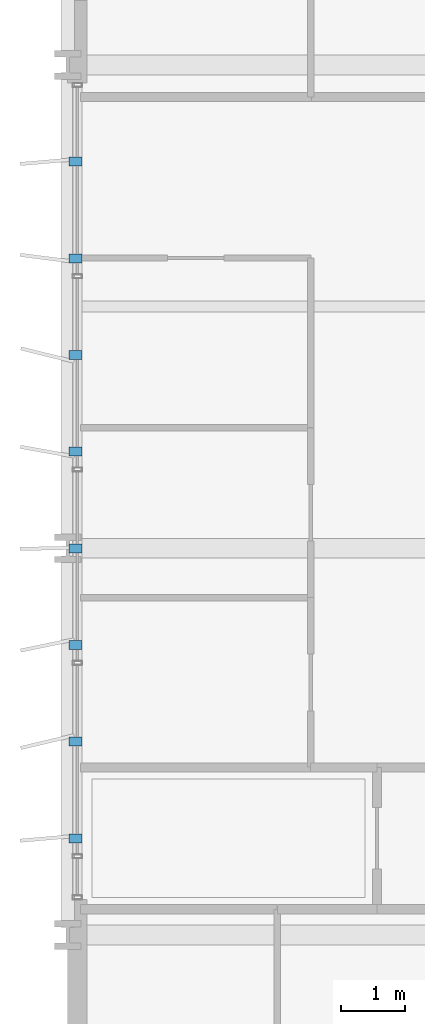
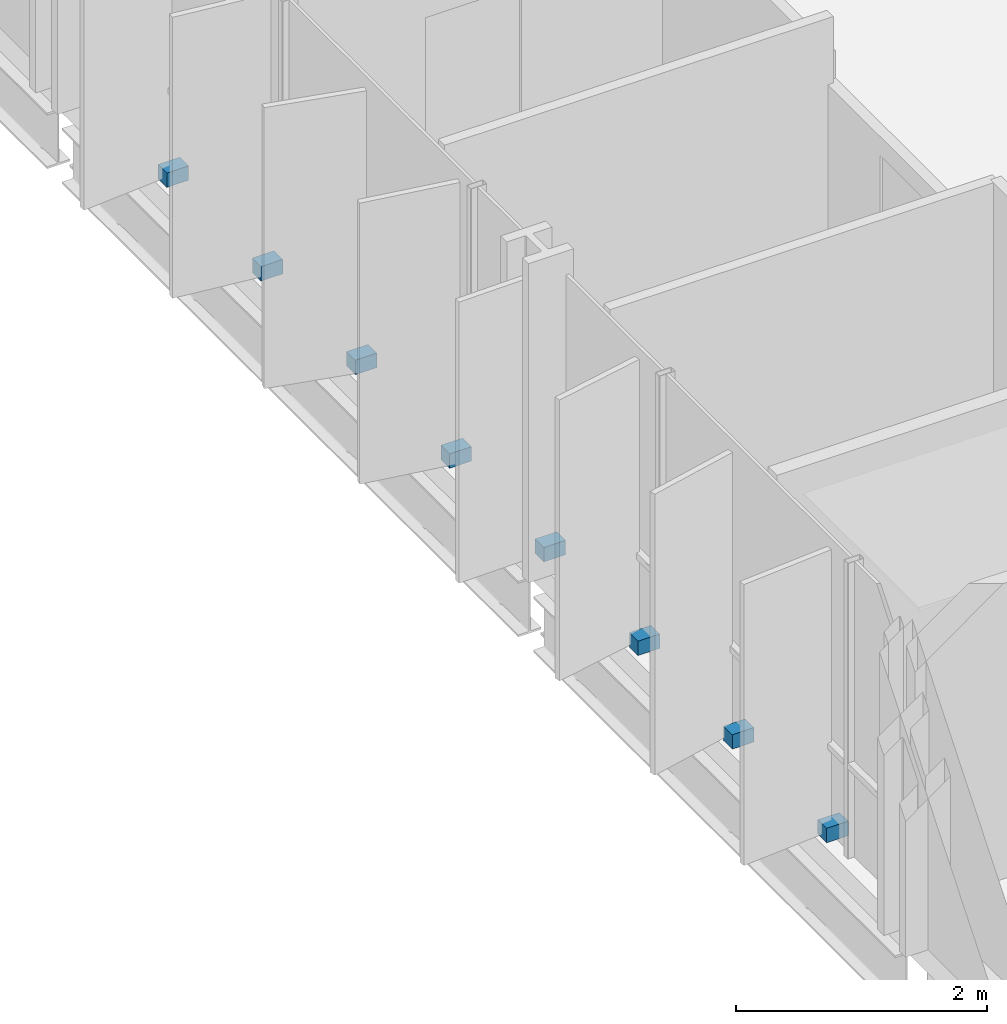
# One storey, part 34 of 39: 8 discrete accessories.
"""IFC4 building model written with IfcOpenShell, lengths in metres."""

from ifc_helpers import new_model, si_unit, direction, frame, origin, origin_2d, place, context, subcontext, project, spatial, rectangle, extrude, material, type_object, element, save


model = new_model("IFC4")

# Units and contexts
model_context = context("Model", 3, precision=1e-05, world=origin(), true_north=direction((0.0, 1.0)))
body_context = subcontext(model_context, "Body", "Model", "MODEL_VIEW")
ifc_project = project(units=[si_unit("LENGTHUNIT", "METRE"), si_unit("AREAUNIT", "SQUARE_METRE"), si_unit("VOLUMEUNIT", "CUBIC_METRE"), si_unit("PLANEANGLEUNIT", "RADIAN"), si_unit("MASSUNIT", "GRAM", prefix="KILO")], contexts=[model_context])

# Site, building, storey
site_placement = place(None, origin())
site = spatial("IfcSite", under=ifc_project, at=site_placement, CompositionType="ELEMENT")
building_placement = place(site_placement, origin())
building = spatial("IfcBuilding", under=site, at=building_placement, Name="Brevholm Reach", CompositionType="ELEMENT")
storey_placement = place(building_placement, frame((0.0, 0.0, 40.39990234375)))
storey = spatial("IfcBuildingStorey", under=building, at=storey_placement, Name="L10", CompositionType="ELEMENT", Elevation=40.39990234375)

# Discrete accessories
ifc_material = material(Name="Duplex Stainless Steel EN 1.4462", Category="steel")
discrete_accessory_type = type_object("IfcDiscreteAccessoryType", Name="ACC-BRK-01", PredefinedType="BRACKET", material=ifc_material)
for number, where, z_axis, x_axis, name in (
    (1, (0.1201171875, 11.5, 0.0302734375), (0.0, 0.0, 1.0), (-1.0, 0.0, 0.0), "L10 Solar Screen Support Bracket 1"),
    (2, (0.1201171875, 13.0, 0.0302734375), (0.0, 0.0, 1.0), (-1.0, 0.0, 0.0), "L10 Solar Screen Support Bracket 2"),
    (3, (0.1201171875, 14.5, 0.0302734375), (0.0, 0.0, 1.0), (-1.0, 0.0, 0.0), "L10 Solar Screen Support Bracket 3"),
    (4, (0.1201171875, 16.0, 0.0302734375), (0.0, 0.0, 1.0), (-1.0, 0.0, 0.0), "L10 Solar Screen Support Bracket 4"),
    (5, (0.1201171875, 17.5, 0.0302734375), (0.0, 0.0, 1.0), (-1.0, 0.0, 0.0), "L10 Solar Screen Support Bracket 5"),
    (6, (0.1201171875, 19.0, 0.0302734375), (0.0, 0.0, 1.0), (-1.0, 0.0, 0.0), "L10 Solar Screen Support Bracket 6"),
    (7, (0.1201171875, 20.5, 0.0302734375), (0.0, 0.0, 1.0), (-1.0, 0.0, 0.0), "L10 Solar Screen Support Bracket 7"),
    (8, (0.1201171875, 22.0, 0.0302734375), (0.0, 0.0, 1.0), (-1.0, 0.0, 0.0), "L10 Solar Screen Support Bracket 8"),
):
    element("IfcDiscreteAccessory", number, at=place(storey_placement, frame(where, z_axis=z_axis, x_axis=x_axis)), inside=storey, type_object=discrete_accessory_type, Name=name, PredefinedType="BRACKET", context=body_context, shape_type="SweptSolid", body=[
        extrude(rectangle(XDim=0.199951171875, YDim=0.139892578125, at=origin_2d()), origin(), (0.0, 0.0, 1.0), 0.139892578125),
    ])

save(model, "model.ifc")
